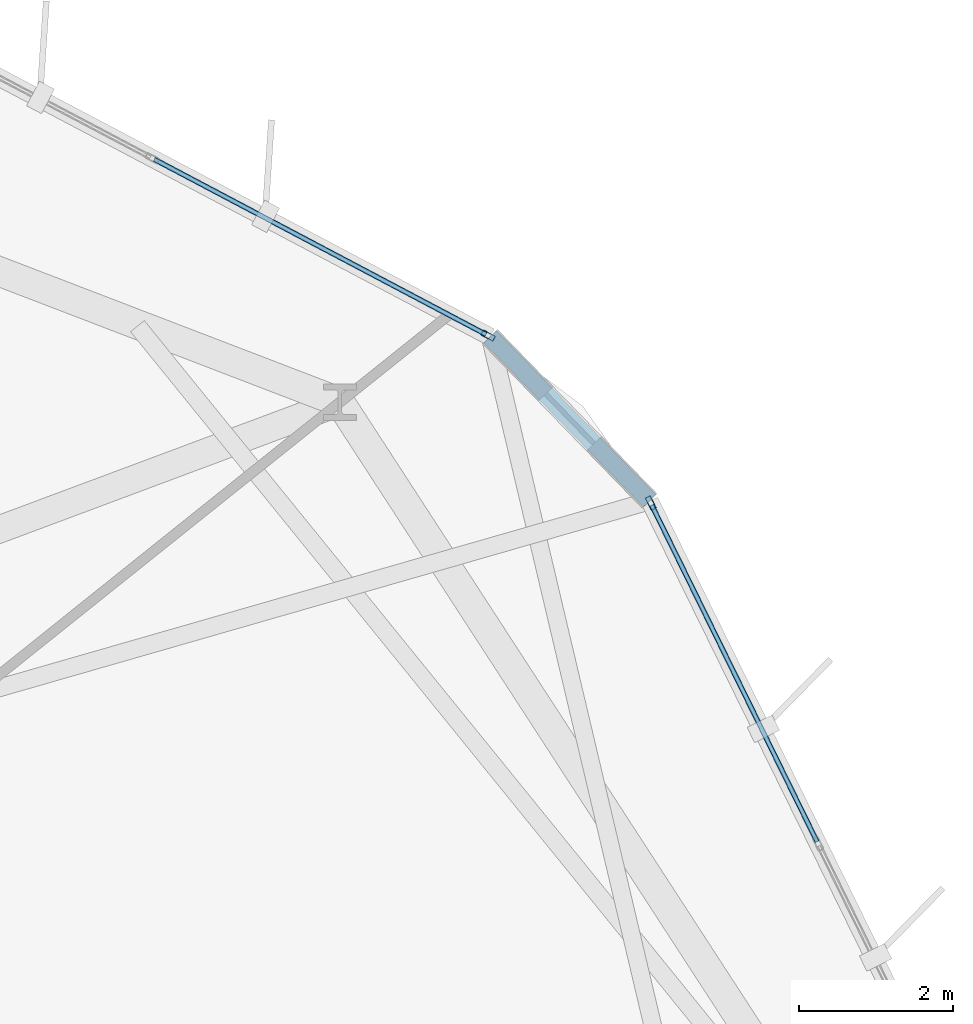
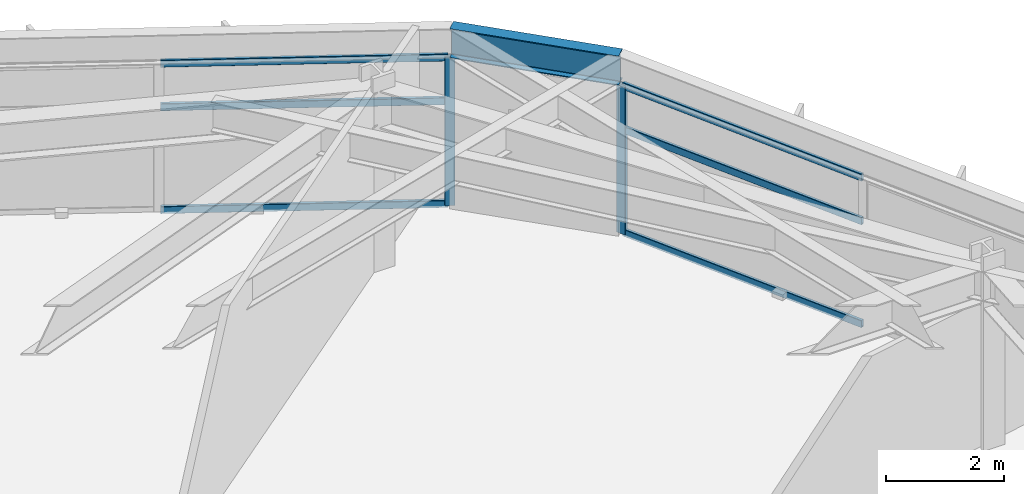
# One storey, part 14 of 22: 8 members, 1 beam, 2 elements without a shape of their own.
"""IFC4 building model written with IfcOpenShell, lengths in metres."""

from ifc_helpers import new_model, si_unit, direction, frame, origin, origin_2d, place, context, subcontext, project, spatial, hollow_rectangle, i_section, extrude, material, layer, layer_set, material_profile, profile_set, type_object, element, aggregate, save


model = new_model("IFC4")

# Units and contexts
model_context = context("Model", 3, precision=1e-05, world=origin(), true_north=direction((0.0, 1.0)))
body_context = subcontext(model_context, "Body", "Model", "MODEL_VIEW")
ifc_project = project(units=[si_unit("LENGTHUNIT", "METRE"), si_unit("AREAUNIT", "SQUARE_METRE"), si_unit("VOLUMEUNIT", "CUBIC_METRE"), si_unit("PLANEANGLEUNIT", "RADIAN"), si_unit("MASSUNIT", "GRAM", prefix="KILO")], contexts=[model_context])

# Site, building, storey
site_placement = place(None, origin())
site = spatial("IfcSite", under=ifc_project, at=site_placement, CompositionType="ELEMENT")
building_placement = place(site_placement, origin())
building = spatial("IfcBuilding", under=site, at=building_placement, Name="Soratama Intermodal Tower", CompositionType="ELEMENT")
storey_placement = place(building_placement, frame((0.0, 0.0, 58.60009765625)))
storey = spatial("IfcBuildingStorey", under=building, at=storey_placement, Name="L13", CompositionType="ELEMENT", Elevation=58.60009765625)

# Beam
ifc_material_1 = material(Name="Structural steel ASTM A992 Grade 50", Category="steel")
ifc_material_profile_1 = material_profile(ifc_material_1, i_section(OverallWidth=0.22900390625, OverallDepth=0.612060546875, WebThickness=0.011962890625, FlangeThickness=0.01953125, FilletRadius=0.012939453125, at=origin_2d()), Name="W24X84")
ifc_profile_set_1 = profile_set([ifc_material_profile_1], Name="Structural steel ASTM A992 Grade 50")
beam_type = type_object("IfcBeamType", Name="BM-SPN-W24X84", PredefinedType="SPANDREL", material=ifc_profile_set_1)
beam_placement = place(storey_placement, frame((60.79296875, 38.26904296875, 3.393798828125), z_axis=(-0.696575105417, 0.717483883103, 0.0), x_axis=(-0.717483883103, -0.696575105417, 0.0)))
element("IfcBeam", 1, at=beam_placement, inside=storey, type_object=beam_type, Name="BS-L13-CRN01", PredefinedType="SPANDREL", context=body_context, shape_type="SweptSolid", body=[
    extrude(i_section(OverallWidth=0.22900390625, OverallDepth=0.612060546875, WebThickness=0.011962890625, FlangeThickness=0.01953125, FilletRadius=0.012939453125, at=origin_2d()), origin(), (0.0, 0.0, 1.0), 2.9658203125),
])

# Curtain wall, member
ifc_material_2 = material(Name="Double-glazed aluminium curtain wall", Category="aluminium")
ifc_layer = layer(ifc_material_2, 0.159912109375)
ifc_layer_set = layer_set([ifc_layer], Name="Double-glazed aluminium curtain wall")
curtain_wall_type = type_object("IfcCurtainWallType", Name="CW-SYS-2", PredefinedType="NOTDEFINED", material=ifc_layer_set)
curtain_wall_1_placement = place(storey_placement, origin())
curtain_wall_1 = element("IfcCurtainWall", 2, at=curtain_wall_1_placement, inside=storey, type_object=curtain_wall_type, Name="L13 Faceted Curtain Wall F01", PredefinedType="NOTDEFINED")
ifc_material_3 = material(Name="Anodised aluminium AA 6063-T6", Category="aluminium")
ifc_material_profile_2 = material_profile(ifc_material_3, hollow_rectangle(XDim=0.074951171875, YDim=0.179931640625, WallThickness=0.006103515625, InnerFilletRadius=0.006103515625, OuterFilletRadius=0.011962890625, at=origin_2d()), Name="CWM180X75X6")
ifc_profile_set_2 = profile_set([ifc_material_profile_2], Name="Anodised aluminium AA 6063-T6")
member_type_1 = type_object("IfcMemberType", Name="MT-CWM-2", PredefinedType="MULLION", material=ifc_profile_set_2)
member_1_placement = place(storey_placement, frame((60.806396484375, 38.2421875, 0.0), z_axis=(0.0, 0.0, 1.0), x_axis=(-0.897568289772, -0.440875453156, 0.0)))
member_1 = element("IfcMember", 3, at=member_1_placement, type_object=member_type_1, Name="CW-2 mullion 3", PredefinedType="MULLION", context=body_context, shape_type="SweptSolid", body=[
    extrude(hollow_rectangle(XDim=0.074951171875, YDim=0.179931640625, WallThickness=0.006103515625, InnerFilletRadius=0.006103515625, OuterFilletRadius=0.011962890625, at=origin_2d()), origin(), (0.0, 0.0, 1.0), 3.078857421875),
])

curtain_wall_2_placement = place(storey_placement, origin())
curtain_wall_2 = element("IfcCurtainWall", 4, at=curtain_wall_2_placement, inside=storey, type_object=curtain_wall_type, Name="L13 Faceted Curtain Wall F02", PredefinedType="NOTDEFINED")
member_2_placement = place(storey_placement, frame((58.699951171875, 40.411376953125, 0.0), z_axis=(0.0, 0.0, 1.0), x_axis=(-0.467001461398, -0.884256543686, 0.0)))
member_2 = element("IfcMember", 5, at=member_2_placement, type_object=member_type_1, Name="CW-2 mullion 1", PredefinedType="MULLION", context=body_context, shape_type="SweptSolid", body=[
    extrude(hollow_rectangle(XDim=0.074951171875, YDim=0.179931640625, WallThickness=0.006103515625, InnerFilletRadius=0.006103515625, OuterFilletRadius=0.011962890625, at=origin_2d()), origin(), (0.0, 0.0, 1.0), 3.078857421875),
])

# Member
ifc_material_4 = material(Name="Anodised aluminium AA 6063-T6", Category="aluminium")
ifc_material_profile_3 = material_profile(ifc_material_4, hollow_rectangle(XDim=0.06494140625, YDim=0.14990234375, WallThickness=0.0048828125, InnerFilletRadius=0.0048828125, OuterFilletRadius=0.010009765625, at=origin_2d()), Name="CWT150X65X5")
ifc_profile_set_3 = profile_set([ifc_material_profile_3], Name="Anodised aluminium AA 6063-T6")
member_type_2 = type_object("IfcMemberType", Name="TT-CWT-1", PredefinedType="USERDEFINED", material=ifc_profile_set_3)
member_3_placement = place(storey_placement, frame((62.9609375, 33.855712890625, 0.02978515625), z_axis=(-0.440869069385, 0.89757142538, 0.0), x_axis=(-0.89757142538, -0.440869069385, 0.0)))
member_3 = element("IfcMember", 6, at=member_3_placement, type_object=member_type_2, Name="CW-2 transom 2.1", ObjectType="TRANSOM", PredefinedType="USERDEFINED", context=body_context, shape_type="SweptSolid", body=[
    extrude(hollow_rectangle(XDim=0.06494140625, YDim=0.14990234375, WallThickness=0.0048828125, InnerFilletRadius=0.0048828125, OuterFilletRadius=0.010009765625, at=origin_2d()), origin(), (0.0, 0.0, 1.0), 4.857177734375),
])

member_4_placement = place(storey_placement, frame((62.9609375, 33.855712890625, 2.14990234375), z_axis=(-0.440869069385, 0.89757142538, 0.0), x_axis=(-0.89757142538, -0.440869069385, 0.0)))
member_4 = element("IfcMember", 7, at=member_4_placement, type_object=member_type_2, Name="CW-2 transom 2.2", ObjectType="TRANSOM", PredefinedType="USERDEFINED", context=body_context, shape_type="SweptSolid", body=[
    extrude(hollow_rectangle(XDim=0.06494140625, YDim=0.14990234375, WallThickness=0.0048828125, InnerFilletRadius=0.0048828125, OuterFilletRadius=0.010009765625, at=origin_2d()), origin(), (0.0, 0.0, 1.0), 4.857177734375),
])

member_5_placement = place(storey_placement, frame((62.9609375, 33.855712890625, 3.048828125), z_axis=(-0.440869069385, 0.89757142538, 0.0), x_axis=(-0.89757142538, -0.440869069385, 0.0)))
member_5 = element("IfcMember", 8, at=member_5_placement, type_object=member_type_2, Name="CW-2 transom 2.3", ObjectType="TRANSOM", PredefinedType="USERDEFINED", context=body_context, shape_type="SweptSolid", body=[
    extrude(hollow_rectangle(XDim=0.06494140625, YDim=0.14990234375, WallThickness=0.0048828125, InnerFilletRadius=0.0048828125, OuterFilletRadius=0.010009765625, at=origin_2d()), origin(), (0.0, 0.0, 1.0), 4.857177734375),
])

aggregate(curtain_wall_1, [member_1, member_3, member_4, member_5])

member_6_placement = place(storey_placement, frame((58.67333984375, 40.425537109375, 0.02978515625), z_axis=(-0.884274064595, 0.466968284452, 0.0), x_axis=(-0.466968284452, -0.884274064595, 0.0)))
member_6 = element("IfcMember", 9, at=member_6_placement, type_object=member_type_2, Name="CW-2 transom 1.1", ObjectType="TRANSOM", PredefinedType="USERDEFINED", context=body_context, shape_type="SweptSolid", body=[
    extrude(hollow_rectangle(XDim=0.06494140625, YDim=0.14990234375, WallThickness=0.0048828125, InnerFilletRadius=0.0048828125, OuterFilletRadius=0.010009765625, at=origin_2d()), origin(), (0.0, 0.0, 1.0), 4.85693359375),
])

member_7_placement = place(storey_placement, frame((58.67333984375, 40.425537109375, 2.14990234375), z_axis=(-0.884274064595, 0.466968284452, 0.0), x_axis=(-0.466968284452, -0.884274064595, 0.0)))
member_7 = element("IfcMember", 10, at=member_7_placement, type_object=member_type_2, Name="CW-2 transom 1.2", ObjectType="TRANSOM", PredefinedType="USERDEFINED", context=body_context, shape_type="SweptSolid", body=[
    extrude(hollow_rectangle(XDim=0.06494140625, YDim=0.14990234375, WallThickness=0.0048828125, InnerFilletRadius=0.0048828125, OuterFilletRadius=0.010009765625, at=origin_2d()), origin(), (0.0, 0.0, 1.0), 4.85693359375),
])

member_8_placement = place(storey_placement, frame((58.67333984375, 40.425537109375, 3.048828125), z_axis=(-0.884274064595, 0.466968284452, 0.0), x_axis=(-0.466968284452, -0.884274064595, 0.0)))
member_8 = element("IfcMember", 11, at=member_8_placement, type_object=member_type_2, Name="CW-2 transom 1.3", ObjectType="TRANSOM", PredefinedType="USERDEFINED", context=body_context, shape_type="SweptSolid", body=[
    extrude(hollow_rectangle(XDim=0.06494140625, YDim=0.14990234375, WallThickness=0.0048828125, InnerFilletRadius=0.0048828125, OuterFilletRadius=0.010009765625, at=origin_2d()), origin(), (0.0, 0.0, 1.0), 4.85693359375),
])

aggregate(curtain_wall_2, [member_2, member_6, member_7, member_8])

save(model, "model.ifc")
